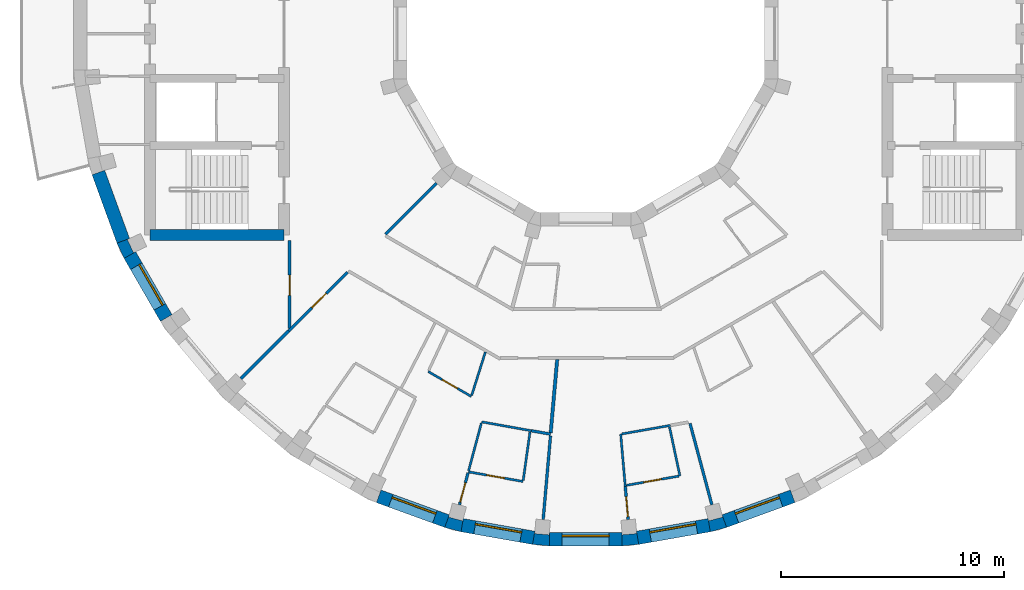
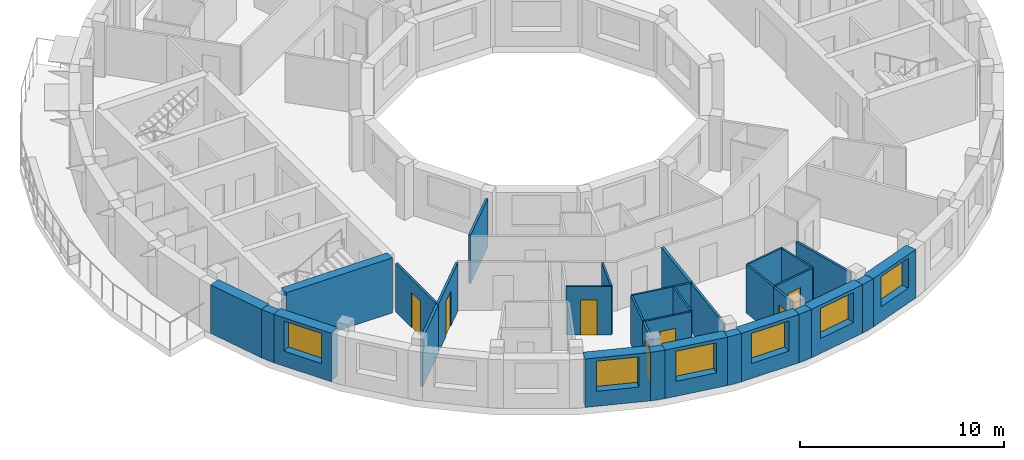
# One storey, part 2 of 10: 33 walls, 7 doors, 6 windows, 13 openings.
"""IFC4 building model written with IfcOpenShell, lengths in metres."""

from ifc_helpers import new_model, si_unit, direction, frame, frame_2d, origin, place, context, subcontext, project, spatial, polyline, rectangle, outline, extrude, material, layer, layer_set, type_object, element, fill, save


model = new_model("IFC4")

# Units and contexts
model_context = context("Model", 3, precision=1e-05, world=origin(), true_north=direction((0.0, 1.0)))
body_context = subcontext(model_context, "Body", "Model", "MODEL_VIEW")
ifc_project = project(units=[si_unit("LENGTHUNIT", "METRE"), si_unit("AREAUNIT", "SQUARE_METRE"), si_unit("VOLUMEUNIT", "CUBIC_METRE"), si_unit("PLANEANGLEUNIT", "RADIAN"), si_unit("MASSUNIT", "GRAM", prefix="KILO")], contexts=[model_context])

# Site, building, storey
site_placement = place(None, origin())
site = spatial("IfcSite", under=ifc_project, at=site_placement, CompositionType="ELEMENT")
building_placement = place(site_placement, origin())
building = spatial("IfcBuilding", under=site, at=building_placement, Name="Saqina Gate Tower", CompositionType="ELEMENT")
storey_placement = place(building_placement, frame((0.0, 0.0, 242.89990234375)))
storey = spatial("IfcBuildingStorey", under=building, at=storey_placement, Name="L69", CompositionType="ELEMENT", Elevation=242.89990234375)

# Walls
ifc_material_1 = material(Name="Brick masonry (buff)", Category="masonry")
wall_type_1 = type_object("IfcWallType", Name="BRICK PIER COPING BUFF", PredefinedType="SOLIDWALL", material=ifc_material_1)
wall_1_placement = place(storey_placement, origin())
element("IfcWall", 1, at=wall_1_placement, inside=storey, type_object=wall_type_1, Name="Pier cap L69 column 21", PredefinedType="SOLIDWALL", context=body_context, shape_type="SweptSolid", body=[
    extrude(outline(polyline([(-20.974609375, -9.3642578125), (-20.65576171875, -10.048095703125), (-20.135986328125, -9.748291015625), (-20.23193359375, -9.79296875), (-20.506591796875, -9.203857421875), (-20.410888671875, -9.1591796875), (-20.974609375, -9.3642578125)])), origin(), (0.0, 0.0, 1.0), 2.900146484375),
])
wall_2_placement = place(storey_placement, origin())
element("IfcWall", 2, at=wall_2_placement, inside=storey, type_object=wall_type_1, Name="Pier cap L69 column 26", PredefinedType="SOLIDWALL", context=body_context, shape_type="SweptSolid", body=[
    extrude(outline(polyline([(-5.579833984375, -22.281982421875), (-5.4755859375, -21.691162109375), (-5.5029296875, -21.793212890625), (-6.130859375, -21.625), (-6.103515625, -21.52294921875), (-6.30859375, -22.0869140625), (-5.579833984375, -22.281982421875)])), origin(), (0.0, 0.0, 1.0), 2.900146484375),
])
wall_3_placement = place(storey_placement, origin())
element("IfcWall", 3, at=wall_3_placement, inside=storey, type_object=wall_type_1, Name="Pier cap L69 column 27", PredefinedType="SOLIDWALL", context=body_context, shape_type="SweptSolid", body=[
    extrude(outline(polyline([(-2.377685546875, -22.8466796875), (-1.625732421875, -22.91259765625), (-1.625732421875, -22.3125), (-1.635009765625, -22.417724609375), (-2.28271484375, -22.361083984375), (-2.2734375, -22.255859375), (-2.377685546875, -22.8466796875)])), origin(), (0.0, 0.0, 1.0), 2.900146484375),
])
wall_4_placement = place(storey_placement, origin())
element("IfcWall", 4, at=wall_4_placement, inside=storey, type_object=wall_type_1, Name="Pier cap L69 column 28", PredefinedType="SOLIDWALL", context=body_context, shape_type="SweptSolid", body=[
    extrude(outline(polyline([(1.625732421875, -22.91259765625), (2.377685546875, -22.8466796875), (2.2734375, -22.255859375), (2.28271484375, -22.361083984375), (1.635009765625, -22.417724609375), (1.625732421875, -22.3125), (1.625732421875, -22.91259765625)])), origin(), (0.0, 0.0, 1.0), 2.900146484375),
])
wall_5_placement = place(storey_placement, origin())
element("IfcWall", 5, at=wall_5_placement, inside=storey, type_object=wall_type_1, Name="Pier cap L69 column 29", PredefinedType="SOLIDWALL", context=body_context, shape_type="SweptSolid", body=[
    extrude(outline(polyline([(6.30859375, -22.0869140625), (6.103515625, -21.52294921875), (6.130859375, -21.625), (5.5029296875, -21.793212890625), (5.4755859375, -21.691162109375), (5.579833984375, -22.281982421875), (6.30859375, -22.0869140625)])), origin(), (0.0, 0.0, 1.0), 2.900146484375),
])

# Wall, opening, window
ifc_material_2 = material(Name="Brick masonry (buff)", Category="masonry")
ifc_layer_1 = layer(ifc_material_2, 0.60009765625)
ifc_layer_set_1 = layer_set([ifc_layer_1], Name="FW-BRICK-BUFF")
wall_type_2 = type_object("IfcWallType", Name="FW-BRICK-BUFF", PredefinedType="SOLIDWALL", material=ifc_layer_set_1)
wall_6_placement = place(storey_placement, frame((-20.39599609375, -9.898193359375, 0.0), z_axis=(0.0, 0.0, 1.0), x_axis=(0.500014901547, -0.866016800201, 0.0)))
wall_6 = element("IfcWall", 6, at=wall_6_placement, inside=storey, type_object=wall_type_2, Name="Facade wall L69 facet 21", PredefinedType="SOLIDWALL", context=body_context, shape_type="SweptSolid", body=[
    extrude(rectangle(XDim=3.251953125, YDim=0.60009765625, at=frame_2d((1.6259765625, 0.0))), origin(), (0.0, 0.0, 1.0), 2.900146484375),
])
opening_1_placement = place(wall_6_placement, frame((0.57568359375, 0.0, 0.89990234375)))
opening_1 = element("IfcOpeningElement", 7, at=opening_1_placement, cuts=wall_6, Name="Opening G20-W12", PredefinedType="OPENING", context=body_context, shape_type="SweptSolid", body=[
    extrude(rectangle(XDim=2.10009765625, YDim=1.800048828125, at=frame_2d((1.050048828125, 0.89990234375))), frame((0.0, 0.31201171875, 0.0), z_axis=(0.0, -1.0, 0.0), x_axis=(1.0, 0.0, 0.0)), (0.0, 0.0, 1.0), 0.6240234375),
])
ifc_material_3 = material(Name="Aluminium glazing", Category="aluminium")
window_type = type_object("IfcWindowType", Name="WN-D", PartitioningType="SINGLE_PANEL", PredefinedType="WINDOW", material=ifc_material_3)
window_1_placement = place(opening_1_placement, origin())
window_1 = element("IfcWindow", 8, at=window_1_placement, inside=storey, type_object=window_type, Name="Window L69 facet 21", OverallHeight=1.800048828125, OverallWidth=2.10009765625, PartitioningType="SINGLE_PANEL", PredefinedType="WINDOW", context=body_context, shape_type="SweptSolid", body=[
    extrude(rectangle(XDim=2.10009765625, YDim=1.800048828125, at=frame_2d((1.050048828125, 0.89990234375))), frame((0.0, 0.179931640625, 0.0), z_axis=(0.0, -1.0, 0.0), x_axis=(1.0, 0.0, 0.0)), (0.0, 0.0, 1.0), 0.06005859375),
])
fill(opening_1, window_1)

wall_7_placement = place(storey_placement, frame((-9.26171875, -20.692626953125, 0.0), z_axis=(0.0, 0.0, 1.0), x_axis=(0.939679383794, -0.342056509473, 0.0)))
wall_7 = element("IfcWall", 9, at=wall_7_placement, inside=storey, type_object=wall_type_2, Name="Facade wall L69 facet 25", PredefinedType="SOLIDWALL", context=body_context, shape_type="SweptSolid", body=[
    extrude(rectangle(XDim=3.251708984375, YDim=0.60009765625, at=frame_2d((1.6259765625, 0.0))), origin(), (0.0, 0.0, 1.0), 2.900146484375),
])
opening_2_placement = place(wall_7_placement, frame((0.57568359375, 0.0, 0.89990234375)))
opening_2 = element("IfcOpeningElement", 10, at=opening_2_placement, cuts=wall_7, Name="Opening G20-W16", PredefinedType="OPENING", context=body_context, shape_type="SweptSolid", body=[
    extrude(rectangle(XDim=2.10009765625, YDim=1.800048828125, at=frame_2d((1.050048828125, 0.89990234375))), frame((0.0, 0.31201171875, 0.0), z_axis=(0.0, -1.0, 0.0), x_axis=(1.0, 0.0, 0.0)), (0.0, 0.0, 1.0), 0.6240234375),
])
window_2_placement = place(opening_2_placement, origin())
window_2 = element("IfcWindow", 11, at=window_2_placement, inside=storey, type_object=window_type, Name="Window L69 facet 25", OverallHeight=1.800048828125, OverallWidth=2.10009765625, PartitioningType="SINGLE_PANEL", PredefinedType="WINDOW", context=body_context, shape_type="SweptSolid", body=[
    extrude(rectangle(XDim=2.10009765625, YDim=1.800048828125, at=frame_2d((1.050048828125, 0.89990234375))), frame((0.0, 0.179931640625, 0.0), z_axis=(0.0, -1.0, 0.0), x_axis=(1.0, 0.0, 0.0)), (0.0, 0.0, 1.0), 0.06005859375),
])
fill(opening_2, window_2)

wall_8_placement = place(storey_placement, frame((-5.52783203125, -21.986572265625, 0.0), z_axis=(0.0, 0.0, 1.0), x_axis=(0.984806225186, -0.173656842178, 0.0)))
wall_8 = element("IfcWall", 12, at=wall_8_placement, inside=storey, type_object=wall_type_2, Name="Facade wall L69 facet 26", PredefinedType="SOLIDWALL", context=body_context, shape_type="SweptSolid", body=[
    extrude(rectangle(XDim=3.251708984375, YDim=0.60009765625, at=frame_2d((1.6259765625, 0.0))), origin(), (0.0, 0.0, 1.0), 2.900146484375),
])
opening_3_placement = place(wall_8_placement, frame((0.57568359375, 0.0, 0.89990234375)))
opening_3 = element("IfcOpeningElement", 13, at=opening_3_placement, cuts=wall_8, Name="Opening G20-W17", PredefinedType="OPENING", context=body_context, shape_type="SweptSolid", body=[
    extrude(rectangle(XDim=2.10009765625, YDim=1.800048828125, at=frame_2d((1.050048828125, 0.89990234375))), frame((0.0, 0.31201171875, 0.0), z_axis=(0.0, -1.0, 0.0), x_axis=(1.0, 0.0, 0.0)), (0.0, 0.0, 1.0), 0.6240234375),
])
window_3_placement = place(opening_3_placement, origin())
window_3 = element("IfcWindow", 14, at=window_3_placement, inside=storey, type_object=window_type, Name="Window L69 facet 26", OverallHeight=1.800048828125, OverallWidth=2.10009765625, PartitioningType="SINGLE_PANEL", PredefinedType="WINDOW", context=body_context, shape_type="SweptSolid", body=[
    extrude(rectangle(XDim=2.10009765625, YDim=1.800048828125, at=frame_2d((1.050048828125, 0.89990234375))), frame((0.0, 0.179931640625, 0.0), z_axis=(0.0, -1.0, 0.0), x_axis=(1.0, 0.0, 0.0)), (0.0, 0.0, 1.0), 0.06005859375),
])
fill(opening_3, window_3)

wall_9_placement = place(storey_placement, frame((-1.625732421875, -22.612548828125, 0.0), z_axis=(0.0, 0.0, 1.0), x_axis=(1.0, 0.0, 0.0)))
wall_9 = element("IfcWall", 15, at=wall_9_placement, inside=storey, type_object=wall_type_2, Name="Facade wall L69 facet 27", PredefinedType="SOLIDWALL", context=body_context, shape_type="SweptSolid", body=[
    extrude(rectangle(XDim=3.25146484375, YDim=0.60009765625, at=frame_2d((1.625732421875, 0.0))), origin(), (0.0, 0.0, 1.0), 2.900146484375),
])
opening_4_placement = place(wall_9_placement, frame((0.57568359375, 0.0, 0.89990234375)))
opening_4 = element("IfcOpeningElement", 16, at=opening_4_placement, cuts=wall_9, Name="Opening G20-W18", PredefinedType="OPENING", context=body_context, shape_type="SweptSolid", body=[
    extrude(rectangle(XDim=2.10009765625, YDim=1.800048828125, at=frame_2d((1.050048828125, 0.89990234375))), frame((0.0, 0.31201171875, 0.0), z_axis=(0.0, -1.0, 0.0), x_axis=(1.0, 0.0, 0.0)), (0.0, 0.0, 1.0), 0.6240234375),
])
window_4_placement = place(opening_4_placement, origin())
window_4 = element("IfcWindow", 17, at=window_4_placement, inside=storey, type_object=window_type, Name="Window L69 facet 27", OverallHeight=1.800048828125, OverallWidth=2.10009765625, PartitioningType="SINGLE_PANEL", PredefinedType="WINDOW", context=body_context, shape_type="SweptSolid", body=[
    extrude(rectangle(XDim=2.10009765625, YDim=1.800048828125, at=frame_2d((1.050048828125, 0.89990234375))), frame((0.0, 0.179931640625, 0.0), z_axis=(0.0, -1.0, 0.0), x_axis=(1.0, 0.0, 0.0)), (0.0, 0.0, 1.0), 0.06005859375),
])
fill(opening_4, window_4)

wall_10_placement = place(storey_placement, frame((2.325439453125, -22.55126953125, 0.0), z_axis=(0.0, 0.0, 1.0), x_axis=(0.984806225186, 0.173656842178, 0.0)))
wall_10 = element("IfcWall", 18, at=wall_10_placement, inside=storey, type_object=wall_type_2, Name="Facade wall L69 facet 28", PredefinedType="SOLIDWALL", context=body_context, shape_type="SweptSolid", body=[
    extrude(rectangle(XDim=3.251708984375, YDim=0.60009765625, at=frame_2d((1.6259765625, 0.0))), origin(), (0.0, 0.0, 1.0), 2.900146484375),
])
opening_5_placement = place(wall_10_placement, frame((0.57568359375, 0.0, 0.89990234375)))
opening_5 = element("IfcOpeningElement", 19, at=opening_5_placement, cuts=wall_10, Name="Opening G20-W19", PredefinedType="OPENING", context=body_context, shape_type="SweptSolid", body=[
    extrude(rectangle(XDim=2.10009765625, YDim=1.800048828125, at=frame_2d((1.050048828125, 0.89990234375))), frame((0.0, 0.31201171875, 0.0), z_axis=(0.0, -1.0, 0.0), x_axis=(1.0, 0.0, 0.0)), (0.0, 0.0, 1.0), 0.6240234375),
])
window_5_placement = place(opening_5_placement, origin())
window_5 = element("IfcWindow", 20, at=window_5_placement, inside=storey, type_object=window_type, Name="Window L69 facet 28", OverallHeight=1.800048828125, OverallWidth=2.10009765625, PartitioningType="SINGLE_PANEL", PredefinedType="WINDOW", context=body_context, shape_type="SweptSolid", body=[
    extrude(rectangle(XDim=2.10009765625, YDim=1.800048828125, at=frame_2d((1.050048828125, 0.89990234375))), frame((0.0, 0.179931640625, 0.0), z_axis=(0.0, -1.0, 0.0), x_axis=(1.0, 0.0, 0.0)), (0.0, 0.0, 1.0), 0.06005859375),
])
fill(opening_5, window_5)

wall_11_placement = place(storey_placement, frame((6.2060546875, -21.804931640625, 0.0), z_axis=(0.0, 0.0, 1.0), x_axis=(0.939679383794, 0.342056509473, 0.0)))
wall_11 = element("IfcWall", 21, at=wall_11_placement, inside=storey, type_object=wall_type_2, Name="Facade wall L69 facet 29", PredefinedType="SOLIDWALL", context=body_context, shape_type="SweptSolid", body=[
    extrude(rectangle(XDim=3.251708984375, YDim=0.60009765625, at=frame_2d((1.6259765625, 0.0))), origin(), (0.0, 0.0, 1.0), 2.900146484375),
])
opening_6_placement = place(wall_11_placement, frame((0.57568359375, 0.0, 0.89990234375)))
opening_6 = element("IfcOpeningElement", 22, at=opening_6_placement, cuts=wall_11, Name="Opening G20-W20", PredefinedType="OPENING", context=body_context, shape_type="SweptSolid", body=[
    extrude(rectangle(XDim=2.10009765625, YDim=1.800048828125, at=frame_2d((1.050048828125, 0.89990234375))), frame((0.0, 0.31201171875, 0.0), z_axis=(0.0, -1.0, 0.0), x_axis=(1.0, 0.0, 0.0)), (0.0, 0.0, 1.0), 0.6240234375),
])
window_6_placement = place(opening_6_placement, origin())
window_6 = element("IfcWindow", 23, at=window_6_placement, inside=storey, type_object=window_type, Name="Window L69 facet 29", OverallHeight=1.800048828125, OverallWidth=2.10009765625, PartitioningType="SINGLE_PANEL", PredefinedType="WINDOW", context=body_context, shape_type="SweptSolid", body=[
    extrude(rectangle(XDim=2.10009765625, YDim=1.800048828125, at=frame_2d((1.050048828125, 0.89990234375))), frame((0.0, 0.179931640625, 0.0), z_axis=(0.0, -1.0, 0.0), x_axis=(1.0, 0.0, 0.0)), (0.0, 0.0, 1.0), 0.06005859375),
])
fill(opening_6, window_6)

# Walls
ifc_material_4 = material(Name="Glazed ceramic tile", Category="ceramic")
ifc_layer_2 = layer(ifc_material_4, 0.60009765625)
ifc_layer_set_2 = layer_set([ifc_layer_2], Name="FW-TILE")
wall_type_3 = type_object("IfcWallType", Name="FW-TILE", PredefinedType="SOLIDWALL", material=ifc_layer_set_2)
wall_12_placement = place(storey_placement, frame((-21.804931640625, -6.2060546875, 0.0), z_axis=(0.0, 0.0, 1.0), x_axis=(0.342056509473, -0.939679383794, 0.0)))
element("IfcWall", 24, at=wall_12_placement, inside=storey, type_object=wall_type_3, Name="Facade wall L69 facet 20", PredefinedType="SOLIDWALL", context=body_context, shape_type="SweptSolid", body=[
    extrude(rectangle(XDim=3.251708984375, YDim=0.60009765625, at=frame_2d((1.6259765625, 0.0))), origin(), (0.0, 0.0, 1.0), 2.900146484375),
])
ifc_material_5 = material(Name="Gypsum board on steel studs, 100 mm", Category="steel")
ifc_layer_3 = layer(ifc_material_5, 0.10009765625)
ifc_layer_set_3 = layer_set([ifc_layer_3], Name="PARTITION 100")
wall_type_4 = type_object("IfcWallType", Name="PARTITION 100", PredefinedType="PARTITIONING", material=ifc_layer_set_3)
wall_13_placement = place(storey_placement, frame((1.567138671875, -17.9130859375, 0.0), z_axis=(0.0, 0.0, 1.0), x_axis=(0.087089873779, -0.996200458685, 0.0)))
element("IfcWall", 25, at=wall_13_placement, inside=storey, type_object=wall_type_4, Name="PARTITION PW3-01", PredefinedType="PARTITIONING", context=body_context, shape_type="SweptSolid", body=[
    extrude(rectangle(XDim=2.357666015625, YDim=0.10009765625, at=frame_2d((1.1787109375, 0.0))), origin(), (0.0, 0.0, 1.0), 2.900146484375),
])
wall_14_placement = place(storey_placement, frame((3.7509765625, -17.59130859375, 0.0), z_axis=(0.0, 0.0, 1.0), x_axis=(0.208598143884, -0.978001438837, 0.0)))
element("IfcWall", 26, at=wall_14_placement, inside=storey, type_object=wall_type_4, Name="PARTITION PW3-05", PredefinedType="PARTITIONING", context=body_context, shape_type="SweptSolid", body=[
    extrude(rectangle(XDim=2.239013671875, YDim=0.10009765625, at=frame_2d((1.11962890625, 0.0))), origin(), (0.0, 0.0, 1.0), 2.900146484375),
])

# Wall, opening, door
wall_15_placement = place(storey_placement, frame((-7.047119140625, -15.111083984375, 0.0), z_axis=(0.0, 0.0, 1.0), x_axis=(0.866015874633, -0.500016504612, 0.0)))
wall_15 = element("IfcWall", 27, at=wall_15_placement, inside=storey, type_object=wall_type_4, Name="PARTITION PW3-18", PredefinedType="PARTITIONING", context=body_context, shape_type="SweptSolid", body=[
    extrude(rectangle(XDim=2.22802734375, YDim=0.10009765625, at=frame_2d((1.114013671875, 0.0))), origin(), (0.0, 0.0, 1.0), 2.900146484375),
])
opening_7_placement = place(wall_15_placement, frame((0.71484375, 0.0, 0.0)))
opening_7 = element("IfcOpeningElement", 28, at=opening_7_placement, cuts=wall_15, Name="Opening G20-D27", PredefinedType="OPENING", context=body_context, shape_type="SweptSolid", body=[
    extrude(rectangle(XDim=0.800048828125, YDim=2.10009765625, at=frame_2d((0.39990234375, 1.050048828125))), frame((0.0, 0.06201171875, 0.0), z_axis=(0.0, -1.0, 0.0), x_axis=(1.0, 0.0, 0.0)), (0.0, 0.0, 1.0), 0.1240234375),
])
ifc_material_6 = material(Name="Timber door leaf, 800 mm", Category="wood")
door_type_1 = type_object("IfcDoorType", Name="DOOR 800 TIMBER", OperationType="SINGLE_SWING_LEFT", PredefinedType="DOOR", material=ifc_material_6)
door_1_placement = place(opening_7_placement, frame((0.800048828125, 0.0, 0.0), z_axis=(0.0, 0.0, 1.0), x_axis=(-1.0, 0.0, 0.0)))
door_1 = element("IfcDoor", 29, at=door_1_placement, inside=storey, type_object=door_type_1, Name="DOOR G20-D27", OperationType="SINGLE_SWING_LEFT", OverallHeight=2.10009765625, OverallWidth=0.800048828125, PredefinedType="DOOR", context=body_context, shape_type="SweptSolid", body=[
    extrude(rectangle(XDim=0.800048828125, YDim=2.10009765625, at=frame_2d((0.39990234375, 1.050048828125))), frame((0.0, 0.02490234375, 0.0), z_axis=(0.0, -1.0, 0.0), x_axis=(1.0, 0.0, 0.0)), (0.0, 0.0, 1.0), 0.050048828125),
])
fill(opening_7, door_1)

# Wall
wall_16_placement = place(storey_placement, frame((-4.65185546875, -17.362060546875, 0.0), z_axis=(0.0, 0.0, 1.0), x_axis=(0.984302107819, -0.176491814379, 0.0)))
element("IfcWall", 30, at=wall_16_placement, inside=storey, type_object=wall_type_4, Name="PARTITION PW3-21", PredefinedType="PARTITIONING", context=body_context, shape_type="SweptSolid", body=[
    extrude(rectangle(XDim=2.25341796875, YDim=0.10009765625, at=frame_2d((1.126708984375, 0.0))), origin(), (0.0, 0.0, 1.0), 2.900146484375),
])

# Wall, opening, door
wall_17_placement = place(storey_placement, frame((-5.2509765625, -19.597900390625, 0.0), z_axis=(0.0, 0.0, 1.0), x_axis=(0.984786523671, -0.17376853224, 0.0)))
wall_17 = element("IfcWall", 31, at=wall_17_placement, inside=storey, type_object=wall_type_4, Name="PARTITION PW3-22", PredefinedType="PARTITIONING", context=body_context, shape_type="SweptSolid", body=[
    extrude(rectangle(XDim=2.48681640625, YDim=0.10009765625, at=frame_2d((1.243408203125, 0.0))), origin(), (0.0, 0.0, 1.0), 2.900146484375),
])
opening_8_placement = place(wall_17_placement, frame((0.843505859375, 0.0, 0.0)))
opening_8 = element("IfcOpeningElement", 32, at=opening_8_placement, cuts=wall_17, Name="Opening G20-D29", PredefinedType="OPENING", context=body_context, shape_type="SweptSolid", body=[
    extrude(rectangle(XDim=0.800048828125, YDim=2.10009765625, at=frame_2d((0.39990234375, 1.050048828125))), frame((0.0, 0.06201171875, 0.0), z_axis=(0.0, -1.0, 0.0), x_axis=(1.0, 0.0, 0.0)), (0.0, 0.0, 1.0), 0.1240234375),
])
door_2_placement = place(opening_8_placement, frame((0.800048828125, 0.0, 0.0), z_axis=(0.0, 0.0, 1.0), x_axis=(-1.0, 0.0, 0.0)))
door_2 = element("IfcDoor", 33, at=door_2_placement, inside=storey, type_object=door_type_1, Name="DOOR G20-D29", OperationType="SINGLE_SWING_RIGHT", OverallHeight=2.10009765625, OverallWidth=0.800048828125, PredefinedType="DOOR", context=body_context, shape_type="SweptSolid", body=[
    extrude(rectangle(XDim=0.800048828125, YDim=2.10009765625, at=frame_2d((0.39990234375, 1.050048828125))), frame((0.0, 0.02490234375, 0.0), z_axis=(0.0, -1.0, 0.0), x_axis=(1.0, 0.0, 0.0)), (0.0, 0.0, 1.0), 0.050048828125),
])
fill(opening_8, door_2)

wall_18_placement = place(storey_placement, frame((1.82958984375, -20.201171875, 0.0), z_axis=(0.0, 0.0, 1.0), x_axis=(0.984867266046, 0.173310323615, 0.0)))
wall_18 = element("IfcWall", 34, at=wall_18_placement, inside=storey, type_object=wall_type_4, Name="PARTITION PW3-28", PredefinedType="PARTITIONING", context=body_context, shape_type="SweptSolid", body=[
    extrude(rectangle(XDim=2.375, YDim=0.10009765625, at=frame_2d((1.1875, 0.0))), origin(), (0.0, 0.0, 1.0), 2.900146484375),
])
opening_9_placement = place(wall_18_placement, frame((0.78125, 0.0, 0.0)))
opening_9 = element("IfcOpeningElement", 35, at=opening_9_placement, cuts=wall_18, Name="Opening G20-D35", PredefinedType="OPENING", context=body_context, shape_type="SweptSolid", body=[
    extrude(rectangle(XDim=0.800048828125, YDim=2.10009765625, at=frame_2d((0.39990234375, 1.050048828125))), frame((0.0, 0.06201171875, 0.0), z_axis=(0.0, -1.0, 0.0), x_axis=(1.0, 0.0, 0.0)), (0.0, 0.0, 1.0), 0.1240234375),
])
door_3_placement = place(opening_9_placement, frame((0.800048828125, 0.0, 0.0), z_axis=(0.0, 0.0, 1.0), x_axis=(-1.0, 0.0, 0.0)))
door_3 = element("IfcDoor", 36, at=door_3_placement, inside=storey, type_object=door_type_1, Name="DOOR G20-D35", OperationType="SINGLE_SWING_RIGHT", OverallHeight=2.10009765625, OverallWidth=0.800048828125, PredefinedType="DOOR", context=body_context, shape_type="SweptSolid", body=[
    extrude(rectangle(XDim=0.800048828125, YDim=2.10009765625, at=frame_2d((0.39990234375, 1.050048828125))), frame((0.0, 0.02490234375, 0.0), z_axis=(0.0, -1.0, 0.0), x_axis=(1.0, 0.0, 0.0)), (0.0, 0.0, 1.0), 0.050048828125),
])
fill(opening_9, door_3)

# Walls
wall_19_placement = place(storey_placement, frame((1.6162109375, -17.9033203125, 0.0), z_axis=(0.0, 0.0, 1.0), x_axis=(0.984865950047, 0.173317801847, 0.0)))
element("IfcWall", 37, at=wall_19_placement, inside=storey, type_object=wall_type_4, Name="PARTITION PW3-29", PredefinedType="PARTITIONING", context=body_context, shape_type="SweptSolid", body=[
    extrude(rectangle(XDim=2.20458984375, YDim=0.10009765625, at=frame_2d((1.102294921875, 0.0))), origin(), (0.0, 0.0, 1.0), 2.900146484375),
])
wall_20_placement = place(storey_placement, frame((-5.100341796875, -16.17626953125, 0.0), z_axis=(0.0, 0.0, 1.0), x_axis=(0.300861627233, 0.953667804457, 0.0)))
element("IfcWall", 38, at=wall_20_placement, inside=storey, type_object=wall_type_4, Name="PARTITION PW3-47", PredefinedType="PARTITIONING", context=body_context, shape_type="SweptSolid", body=[
    extrude(rectangle(XDim=2.035888671875, YDim=0.10009765625, at=frame_2d((1.01806640625, 0.0))), origin(), (0.0, 0.0, 1.0), 2.900146484375),
])
wall_21_placement = place(storey_placement, frame((-5.238037109375, -19.5498046875, 0.0), z_axis=(0.0, 0.0, 1.0), x_axis=(0.258653207269, 0.965970247145, 0.0)))
element("IfcWall", 39, at=wall_21_placement, inside=storey, type_object=wall_type_4, Name="PARTITION PW3-48", PredefinedType="PARTITIONING", context=body_context, shape_type="SweptSolid", body=[
    extrude(rectangle(XDim=2.208740234375, YDim=0.10009765625, at=frame_2d((1.1044921875, 0.0))), origin(), (0.0, 0.0, 1.0), 2.900146484375),
])
wall_22_placement = place(storey_placement, frame((-2.795166015625, -19.98046875, 0.0), z_axis=(0.0, 0.0, 1.0), x_axis=(0.138656596978, 0.990340521293, 0.0)))
element("IfcWall", 40, at=wall_22_placement, inside=storey, type_object=wall_type_4, Name="PARTITION PW3-50", PredefinedType="PARTITIONING", context=body_context, shape_type="SweptSolid", body=[
    extrude(rectangle(XDim=2.188720703125, YDim=0.10009765625, at=frame_2d((1.09423828125, 0.0))), origin(), (0.0, 0.0, 1.0), 2.900146484375),
])

# Wall, opening, door
ifc_material_7 = material(Name="Gypsum board on steel studs, 125 mm, fire rated", Category="steel")
ifc_layer_4 = layer(ifc_material_7, 0.125)
ifc_layer_set_4 = layer_set([ifc_layer_4], Name="PARTITION EI 30 125")
wall_type_5 = type_object("IfcWallType", Name="PARTITION EI 30 125", PredefinedType="PARTITIONING", material=ifc_layer_set_4)
wall_23_placement = place(storey_placement, frame((1.772705078125, -20.26171875, 0.0), z_axis=(0.0, 0.0, 1.0), x_axis=(0.087179262922, -0.996192640063, 0.0)))
wall_23 = element("IfcWall", 41, at=wall_23_placement, inside=storey, type_object=wall_type_5, Name="PARTITION PW1-02", PredefinedType="PARTITIONING", context=body_context, shape_type="SweptSolid", body=[
    extrude(rectangle(XDim=1.475830078125, YDim=0.125, at=frame_2d((0.73779296875, 0.0))), origin(), (0.0, 0.0, 1.0), 2.900146484375),
])
opening_10_placement = place(wall_23_placement, frame((0.4541015625, 0.0, 0.0)))
opening_10 = element("IfcOpeningElement", 42, at=opening_10_placement, cuts=wall_23, Name="Opening G20-D33", PredefinedType="OPENING", context=body_context, shape_type="SweptSolid", body=[
    extrude(rectangle(XDim=0.89990234375, YDim=2.10009765625, at=frame_2d((0.449951171875, 1.050048828125))), frame((0.0, 0.074462890625, 0.0), z_axis=(0.0, -1.0, 0.0), x_axis=(1.0, 0.0, 0.0)), (0.0, 0.0, 1.0), 0.14892578125),
])
ifc_material_8 = material(Name="Fire door leaf EI 30, 900 mm")
door_type_2 = type_object("IfcDoorType", Name="DOOR 900 EI 30", OperationType="SINGLE_SWING_LEFT", PredefinedType="DOOR", material=ifc_material_8)
door_4_placement = place(opening_10_placement, frame((0.89990234375, 0.0, 0.0), z_axis=(0.0, 0.0, 1.0), x_axis=(-1.0, 0.0, 0.0)))
door_4 = element("IfcDoor", 43, at=door_4_placement, inside=storey, type_object=door_type_2, Name="DOOR G20-D33", OperationType="SINGLE_SWING_RIGHT", OverallHeight=2.10009765625, OverallWidth=0.89990234375, PredefinedType="DOOR", context=body_context, shape_type="SweptSolid", body=[
    extrude(rectangle(XDim=0.89990234375, YDim=2.10009765625, at=frame_2d((0.449951171875, 1.050048828125))), frame((0.0, 0.02490234375, 0.0), z_axis=(0.0, -1.0, 0.0), x_axis=(1.0, 0.0, 0.0)), (0.0, 0.0, 1.0), 0.050048828125),
])
fill(opening_10, door_4)

# Walls
wall_24_placement = place(storey_placement, frame((4.66845703125, -17.428955078125, 0.0), z_axis=(0.0, 0.0, 1.0), x_axis=(0.259314134335, -0.965793031521, 0.0)))
element("IfcWall", 44, at=wall_24_placement, inside=storey, type_object=wall_type_5, Name="PARTITION PW1-03", PredefinedType="PARTITIONING", context=body_context, shape_type="SweptSolid", body=[
    extrude(rectangle(XDim=3.771484375, YDim=0.125, at=frame_2d((1.8857421875, 0.0))), origin(), (0.0, 0.0, 1.0), 2.900146484375),
])
wall_25_placement = place(storey_placement, frame((-2.433837890625, -17.759765625, 0.0), z_axis=(0.0, 0.0, 1.0), x_axis=(0.984908951539, -0.173073271124, 0.0)))
element("IfcWall", 45, at=wall_25_placement, inside=storey, type_object=wall_type_5, Name="PARTITION PW1-16", PredefinedType="PARTITIONING", context=body_context, shape_type="SweptSolid", body=[
    extrude(rectangle(XDim=0.880126953125, YDim=0.125, at=frame_2d((0.43994140625, 0.0))), origin(), (0.0, 0.0, 1.0), 2.900146484375),
])

# Wall, opening, door
wall_26_placement = place(storey_placement, frame((-13.294189453125, -13.294189453125, 0.0), z_axis=(0.0, 0.0, 1.0), x_axis=(0.707106781187, 0.707106781187, 0.0)))
wall_26 = element("IfcWall", 46, at=wall_26_placement, inside=storey, type_object=wall_type_5, Name="PARTITION PW1-29", PredefinedType="PARTITIONING", context=body_context, shape_type="SweptSolid", body=[
    extrude(rectangle(XDim=3.716552734375, YDim=0.125, at=frame_2d((1.8583984375, 0.0))), origin(), (0.0, 0.0, 1.0), 2.900146484375),
])
opening_11_placement = place(wall_26_placement, frame((1.470703125, 0.0, 0.0)))
opening_11 = element("IfcOpeningElement", 47, at=opening_11_placement, cuts=wall_26, Name="Opening G20-D21", PredefinedType="OPENING", context=body_context, shape_type="SweptSolid", body=[
    extrude(rectangle(XDim=0.89990234375, YDim=2.10009765625, at=frame_2d((0.449951171875, 1.050048828125))), frame((0.0, 0.074462890625, 0.0), z_axis=(0.0, -1.0, 0.0), x_axis=(1.0, 0.0, 0.0)), (0.0, 0.0, 1.0), 0.14892578125),
])
door_5_placement = place(opening_11_placement, frame((0.89990234375, 0.0, 0.0), z_axis=(0.0, 0.0, 1.0), x_axis=(-1.0, 0.0, 0.0)))
door_5 = element("IfcDoor", 48, at=door_5_placement, inside=storey, type_object=door_type_2, Name="DOOR G20-D21", OperationType="SINGLE_SWING_LEFT", OverallHeight=2.10009765625, OverallWidth=0.89990234375, PredefinedType="DOOR", context=body_context, shape_type="SweptSolid", body=[
    extrude(rectangle(XDim=0.89990234375, YDim=2.10009765625, at=frame_2d((0.449951171875, 1.050048828125))), frame((0.0, 0.02490234375, 0.0), z_axis=(0.0, -1.0, 0.0), x_axis=(1.0, 0.0, 0.0)), (0.0, 0.0, 1.0), 0.050048828125),
])
fill(opening_11, door_5)

# Wall
wall_27_placement = place(storey_placement, frame((-8.9677734375, -8.9677734375, 0.0), z_axis=(0.0, 0.0, 1.0), x_axis=(0.707106781187, 0.707106781187, 0.0)))
element("IfcWall", 49, at=wall_27_placement, inside=storey, type_object=wall_type_5, Name="PARTITION PW1-30", PredefinedType="PARTITIONING", context=body_context, shape_type="SweptSolid", body=[
    extrude(rectangle(XDim=3.239990234375, YDim=0.125, at=frame_2d((1.6201171875, 0.0))), origin(), (0.0, 0.0, 1.0), 2.900146484375),
])

# Wall, opening, door
wall_28_placement = place(storey_placement, frame((-5.646484375, -21.071533203125, 0.0), z_axis=(0.0, 0.0, 1.0), x_axis=(0.259237722608, 0.965813544726, 0.0)))
wall_28 = element("IfcWall", 50, at=wall_28_placement, inside=storey, type_object=wall_type_5, Name="PARTITION PW1-35", PredefinedType="PARTITIONING", context=body_context, shape_type="SweptSolid", body=[
    extrude(rectangle(XDim=1.475830078125, YDim=0.125, at=frame_2d((0.73779296875, 0.0))), origin(), (0.0, 0.0, 1.0), 2.900146484375),
])
opening_12_placement = place(wall_28_placement, frame((0.122314453125, 0.0, 0.0)))
opening_12 = element("IfcOpeningElement", 51, at=opening_12_placement, cuts=wall_28, Name="Opening G20-D28", PredefinedType="OPENING", context=body_context, shape_type="SweptSolid", body=[
    extrude(rectangle(XDim=0.89990234375, YDim=2.10009765625, at=frame_2d((0.449951171875, 1.050048828125))), frame((0.0, 0.074462890625, 0.0), z_axis=(0.0, -1.0, 0.0), x_axis=(1.0, 0.0, 0.0)), (0.0, 0.0, 1.0), 0.14892578125),
])
door_6_placement = place(opening_12_placement, origin())
door_6 = element("IfcDoor", 52, at=door_6_placement, inside=storey, type_object=door_type_2, Name="DOOR G20-D28", OperationType="SINGLE_SWING_LEFT", OverallHeight=2.10009765625, OverallWidth=0.89990234375, PredefinedType="DOOR", context=body_context, shape_type="SweptSolid", body=[
    extrude(rectangle(XDim=0.89990234375, YDim=2.10009765625, at=frame_2d((0.449951171875, 1.050048828125))), frame((0.0, 0.02490234375, 0.0), z_axis=(0.0, -1.0, 0.0), x_axis=(1.0, 0.0, 0.0)), (0.0, 0.0, 1.0), 0.050048828125),
])
fill(opening_12, door_6)

# Wall
wall_29_placement = place(storey_placement, frame((-1.901611328125, -21.73193359375, 0.0), z_axis=(0.0, 0.0, 1.0), x_axis=(0.087279731719, 0.996183842687, 0.0)))
element("IfcWall", 53, at=wall_29_placement, inside=storey, type_object=wall_type_5, Name="PARTITION PW1-37", PredefinedType="PARTITIONING", context=body_context, shape_type="SweptSolid", body=[
    extrude(rectangle(XDim=3.759521484375, YDim=0.125, at=frame_2d((1.8798828125, 0.0))), origin(), (0.0, 0.0, 1.0), 2.900146484375),
])

# Wall, opening, door
wall_30_placement = place(storey_placement, frame((-13.25, -13.175048828125, 0.0), z_axis=(0.0, 0.0, 1.0), x_axis=(0.0, 1.0, 0.0)))
wall_30 = element("IfcWall", 54, at=wall_30_placement, inside=storey, type_object=wall_type_5, Name="PARTITION PW1-41", PredefinedType="PARTITIONING", context=body_context, shape_type="SweptSolid", body=[
    extrude(rectangle(XDim=3.925048828125, YDim=0.125, at=frame_2d((1.96240234375, 0.0))), origin(), (0.0, 0.0, 1.0), 2.900146484375),
])
opening_13_placement = place(wall_30_placement, frame((1.47509765625, 0.0, 0.0)))
opening_13 = element("IfcOpeningElement", 55, at=opening_13_placement, cuts=wall_30, Name="Opening G20-D20", PredefinedType="OPENING", context=body_context, shape_type="SweptSolid", body=[
    extrude(rectangle(XDim=0.89990234375, YDim=2.10009765625, at=frame_2d((0.449951171875, 1.050048828125))), frame((0.0, 0.074462890625, 0.0), z_axis=(0.0, -1.0, 0.0), x_axis=(1.0, 0.0, 0.0)), (0.0, 0.0, 1.0), 0.14892578125),
])
door_7_placement = place(opening_13_placement, origin())
door_7 = element("IfcDoor", 56, at=door_7_placement, inside=storey, type_object=door_type_2, Name="DOOR G20-D20", OperationType="SINGLE_SWING_LEFT", OverallHeight=2.10009765625, OverallWidth=0.89990234375, PredefinedType="DOOR", context=body_context, shape_type="SweptSolid", body=[
    extrude(rectangle(XDim=0.89990234375, YDim=2.10009765625, at=frame_2d((0.449951171875, 1.050048828125))), frame((0.0, 0.02490234375, 0.0), z_axis=(0.0, -1.0, 0.0), x_axis=(1.0, 0.0, 0.0)), (0.0, 0.0, 1.0), 0.050048828125),
])
fill(opening_13, door_7)

# Walls
ifc_material_9 = material(Name="Gypsum board on steel studs, 150 mm, fire rated", Category="steel")
ifc_layer_5 = layer(ifc_material_9, 0.14990234375)
ifc_layer_set_5 = layer_set([ifc_layer_5], Name="PARTITION EI 60 150")
wall_type_6 = type_object("IfcWallType", Name="PARTITION EI 60 150", PredefinedType="PARTITIONING", material=ifc_layer_set_5)
wall_31_placement = place(storey_placement, frame((-15.425537109375, -15.425537109375, 0.0), z_axis=(0.0, 0.0, 1.0), x_axis=(0.707106781187, 0.707106781187, 0.0)))
element("IfcWall", 57, at=wall_31_placement, inside=storey, type_object=wall_type_6, Name="PARTITION PW2-04", PredefinedType="PARTITIONING", context=body_context, shape_type="SweptSolid", body=[
    extrude(rectangle(XDim=3.01416015625, YDim=0.14990234375, at=frame_2d((1.507080078125, 0.0))), origin(), (0.0, 0.0, 1.0), 2.900146484375),
])
wall_32_placement = place(storey_placement, frame((-1.5654296875, -17.849365234375, 0.0), z_axis=(0.0, 0.0, 1.0), x_axis=(0.088454711903, 0.996080199553, 0.0)))
element("IfcWall", 58, at=wall_32_placement, inside=storey, type_object=wall_type_6, Name="PARTITION PW2-08", PredefinedType="PARTITIONING", context=body_context, shape_type="SweptSolid", body=[
    extrude(rectangle(XDim=3.2900390625, YDim=0.14990234375, at=frame_2d((1.64501953125, 0.0))), origin(), (0.0, 0.0, 1.0), 2.900146484375),
])
ifc_material_10 = material(Name="Concrete C60/75", Category="concrete")
ifc_layer_6 = layer(ifc_material_10, 0.5)
ifc_layer_set_6 = layer_set([ifc_layer_6], Name="Concrete C60/75")
wall_type_7 = type_object("IfcWallType", Name="STR-CORE WALL-D-O", PredefinedType="SHEAR", material=ifc_layer_set_6)
wall_33_placement = place(storey_placement, frame((-13.5, -9.0, 0.0), z_axis=(0.0, 0.0, 1.0), x_axis=(-1.0, 0.0, 0.0)))
element("IfcWall", 59, at=wall_33_placement, inside=storey, type_object=wall_type_7, Name="CORE WALL L69 W-SE", PredefinedType="SHEAR", context=body_context, shape_type="SweptSolid", body=[
    extrude(rectangle(XDim=6.0, YDim=0.5, at=frame_2d((3.0, 0.0))), origin(), (0.0, 0.0, 1.0), 3.300048828125),
])

save(model, "model.ifc")
